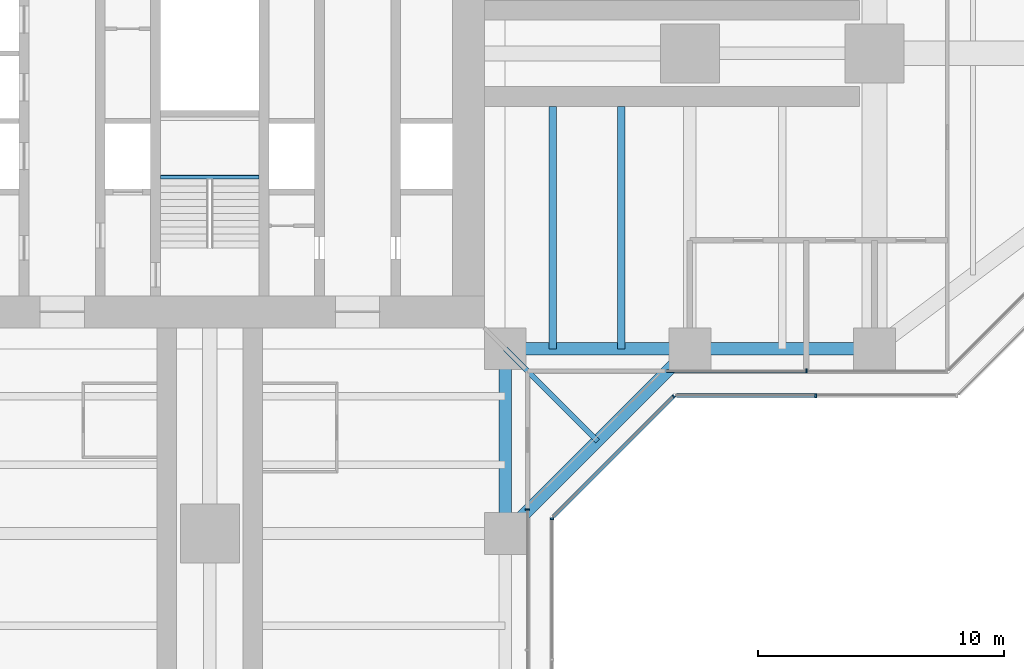
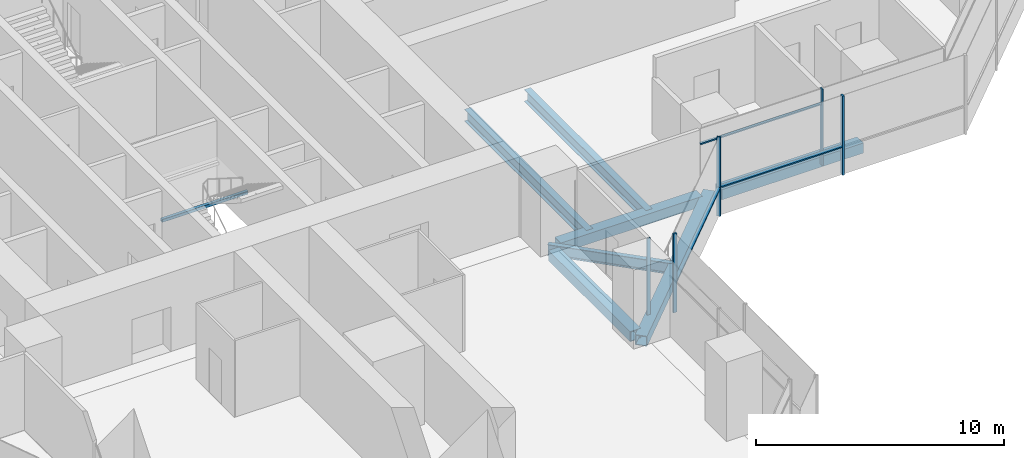
# One storey, part 6 of 22: 8 beams, 8 members, 5 elements without a shape of their own.
"""IFC4 building model written with IfcOpenShell, lengths in metres."""

import ifcopenshell
import ifcopenshell.guid

model = None  # the IFC model being written
_history = None  # IfcOwnerHistory: only IFC2X3 demands one
_inside = {}  # id of a spatial element -> (the spatial element, [elements in it])
_under = {}  # id of a project, library or spatial element -> (it, [spatial elements below it])
_declared = {}  # id of a project -> (the project, [libraries it declares])
_typed = {}  # id of a type object -> (the type object, [elements of that type])
_made_of = {}  # id of a material, layer set ... -> (it, [elements and type objects made of it])


def new_model(schema):
    """Start an empty IFC model of exactly this schema.

    Asked for "IFC4X3", IfcOpenShell would pick the latest addendum, in which some entities
    have other attributes; the version numbers below select the first issue.
    IFC2X3 requires an IfcOwnerHistory on every rooted entity: one is made here for all.
    """
    global model, _history
    if schema == "IFC4X3":
        model = ifcopenshell.file(schema_version=(4, 3, 0, 0))
    else:
        model = ifcopenshell.file(schema=schema)
    _inside.clear()
    _under.clear()
    _declared.clear()
    _typed.clear()
    _made_of.clear()
    _history = None
    if model.schema == "IFC2X3":
        org = make("IfcOrganization", Name="unknown")
        user = make(
            "IfcPersonAndOrganization",
            ThePerson=make("IfcPerson", FamilyName="unknown"),
            TheOrganization=org,
        )
        app = make(
            "IfcApplication",
            ApplicationDeveloper=org,
            Version="unknown",
            ApplicationFullName="unknown",
            ApplicationIdentifier="unknown",
        )
        _history = make(
            "IfcOwnerHistory",
            OwningUser=user,
            OwningApplication=app,
            ChangeAction="ADDED",
            CreationDate=0,
        )
    return model


def make(cls, **values):
    """One entity of the class cls with the attributes given. An attribute that is None is left unset."""
    return model.create_entity(
        cls, **{name: value for name, value in values.items() if value is not None}
    )


def rooted(cls, **values):
    """An entity with a GlobalId (a new one), such as an element, a storey or a relation."""
    return make(cls, GlobalId=ifcopenshell.guid.new(), OwnerHistory=_history, **values)


def si_unit(unit_type, name, prefix=None):
    """IfcSIUnit, for example si_unit("LENGTHUNIT", "METRE", prefix="MILLI")."""
    return make("IfcSIUnit", UnitType=unit_type, Prefix=prefix, Name=name)


def assignment(units):
    """IfcUnitAssignment: the units of a project."""
    return None if units is None else make("IfcUnitAssignment", Units=units)


def point(xyz):
    """IfcCartesianPoint."""
    return None if xyz is None else make("IfcCartesianPoint", Coordinates=xyz)


def direction(xyz):
    """IfcDirection."""
    return None if xyz is None else make("IfcDirection", DirectionRatios=xyz)


def frame(location, z_axis=None, x_axis=None):
    """IfcAxis2Placement3D, a coordinate frame: its origin and axes. An axis left out is left unset."""
    return make(
        "IfcAxis2Placement3D",
        Location=point(location),
        Axis=direction(z_axis),
        RefDirection=direction(x_axis),
    )


def frame_2d(location, x_axis=None):
    """IfcAxis2Placement2D, a coordinate frame in the plane: its origin and x axis."""
    return make(
        "IfcAxis2Placement2D", Location=point(location), RefDirection=direction(x_axis)
    )


def origin():
    """The frame at (0, 0, 0) with its axes left unset."""
    return frame((0.0, 0.0, 0.0))


def origin_2d():
    """The frame at (0, 0) in the plane with its x axis left unset."""
    return frame_2d((0.0, 0.0))


def place(relative_to, where):
    """IfcLocalPlacement: puts the frame where relative to a parent placement (None: the world)."""
    return make(
        "IfcLocalPlacement", PlacementRelTo=relative_to, RelativePlacement=where
    )


def context(
    kind, dimensions, precision=None, world=None, true_north=None, identifier=None
):
    """IfcGeometricRepresentationContext, for example the 3D "Model" context."""
    return make(
        "IfcGeometricRepresentationContext",
        ContextIdentifier=identifier,
        ContextType=kind,
        CoordinateSpaceDimension=dimensions,
        Precision=precision,
        WorldCoordinateSystem=world,
        TrueNorth=true_north,
    )


def subcontext(parent, identifier, kind, view, scale=None):
    """IfcGeometricRepresentationSubContext, for example "Body" below "Model"."""
    return make(
        "IfcGeometricRepresentationSubContext",
        ContextIdentifier=identifier,
        ContextType=kind,
        ParentContext=parent,
        TargetScale=scale,
        TargetView=view,
    )


def project(units=None, contexts=None):
    """IfcProject with its units and contexts."""
    return rooted(
        "IfcProject",
        Name="project",
        RepresentationContexts=contexts,
        UnitsInContext=assignment(units),
    )


def spatial(cls, under=None, at=None, **own):
    """A site, building, storey or space (cls), placed at a placement, below another one or the project."""
    s = rooted(cls, ObjectPlacement=at, **own)
    if under is not None:
        _under.setdefault(under.id(), (under, []))[1].append(s)
    return s


def profile(cls, at=None, kind="AREA", **sizes):
    """A parametric profile (cls). Its sizes go by their IFC names, for example OverallWidth=200.0."""
    return make(cls, ProfileType=kind, Position=at, **sizes)


def rectangle(**sizes):
    """IfcRectangleProfileDef."""
    return profile("IfcRectangleProfileDef", **sizes)


def hollow_rectangle(**sizes):
    """IfcRectangleHollowProfileDef."""
    return profile("IfcRectangleHollowProfileDef", **sizes)


def i_section(**sizes):
    """IfcIShapeProfileDef."""
    return profile("IfcIShapeProfileDef", **sizes)


def extrude(swept, where, along, depth):
    """IfcExtrudedAreaSolid: the profile swept, set in the frame where, extruded along a direction by depth."""
    return make(
        "IfcExtrudedAreaSolid",
        SweptArea=swept,
        Position=where,
        ExtrudedDirection=direction(along),
        Depth=depth,
    )


def shape(context_of_items, identifier, shape_type, items):
    """IfcShapeRepresentation: the items that make up one representation, for example the "Body"."""
    return make(
        "IfcShapeRepresentation",
        ContextOfItems=context_of_items,
        RepresentationIdentifier=identifier,
        RepresentationType=shape_type,
        Items=items,
    )


def material(Name=None, Category=None):
    """IfcMaterial."""
    return make("IfcMaterial", Name=Name, Category=Category)


def material_profile(
    of_material, cross_section, Name=None, Category=None, Priority=None
):
    """IfcMaterialProfile: a cross section and its material."""
    return make(
        "IfcMaterialProfile",
        Name=Name,
        Material=of_material,
        Profile=cross_section,
        Priority=Priority,
        Category=Category,
    )


def profile_set(profiles, Name=None, composite=None):
    """IfcMaterialProfileSet."""
    return make(
        "IfcMaterialProfileSet",
        Name=Name,
        MaterialProfiles=profiles,
        CompositeProfile=composite,
    )


def made_of(thing, what):
    """Note that an element or type object is made of a material, layer set ...; save() writes the relation."""
    if what is not None:
        _made_of.setdefault(what.id(), (what, []))[1].append(thing)
    return thing


def type_object(cls, material=None, **own):
    """A type object (cls), such as IfcWallType, which elements share."""
    return made_of(rooted(cls, **own), material)


def element(
    cls,
    number,
    at=None,
    inside=None,
    cuts=None,
    type_object=None,
    material=None,
    context=None,
    identifier="Body",
    shape_type=None,
    held_by="IfcProductDefinitionShape",
    body=None,
    shapes=None,
    **own,
):
    """One element of the class cls, such as IfcWall. Its Tag is "e" and its number.

    at: its placement. inside: the storey or other place that contains it. cuts: it is an
    opening in that element (IfcRelVoidsElement). A single representation is given by context,
    identifier, shape_type and body (its items); several are given by shapes. held_by: the class
    of the entity that holds the representations. save() writes the other relations.
    """
    e = rooted(cls, Tag="e%d" % number, ObjectPlacement=at, **own)
    if body is not None:
        shapes = [shape(context, identifier, shape_type, body)]
    if shapes is not None:
        e.Representation = make(held_by, Representations=shapes)
    if inside is not None:
        _inside.setdefault(inside.id(), (inside, []))[1].append(e)
    if cuts is not None:
        rooted(
            "IfcRelVoidsElement", RelatingBuildingElement=cuts, RelatedOpeningElement=e
        )
    if type_object is not None:
        _typed.setdefault(type_object.id(), (type_object, []))[1].append(e)
    return made_of(e, material)


def aggregate(whole, parts):
    """IfcRelAggregates: a whole, such as a stair, and the parts it consists of."""
    return rooted("IfcRelAggregates", RelatingObject=whole, RelatedObjects=parts)


def save(model, path):
    """Write the relations noted so far, then the file.

    IfcRelAggregates (storeys below a building ...), IfcRelContainedInSpatialStructure (elements
    in a storey), IfcRelDefinesByType, IfcRelAssociatesMaterial and IfcRelDeclares: one each for
    every whole, place, type object, material and project.
    """
    for whole, parts in _under.values():
        aggregate(whole, parts)
    for where, things in _inside.values():
        rooted(
            "IfcRelContainedInSpatialStructure",
            RelatedElements=things,
            RelatingStructure=where,
        )
    for kind, things in _typed.values():
        rooted("IfcRelDefinesByType", RelatedObjects=things, RelatingType=kind)
    for what, things in _made_of.values():
        rooted("IfcRelAssociatesMaterial", RelatedObjects=things, RelatingMaterial=what)
    for by, libraries in _declared.values():
        rooted("IfcRelDeclares", RelatingContext=by, RelatedDefinitions=libraries)
    model.write(path)


model = new_model("IFC4")

# Units and contexts
model_context = context("Model", 3, precision=1e-05, world=origin(), true_north=direction((0.0, 1.0)))
body_context = subcontext(model_context, "Body", "Model", "MODEL_VIEW")
ifc_project = project(units=[si_unit("LENGTHUNIT", "METRE"), si_unit("AREAUNIT", "SQUARE_METRE"), si_unit("VOLUMEUNIT", "CUBIC_METRE"), si_unit("PLANEANGLEUNIT", "RADIAN"), si_unit("MASSUNIT", "GRAM", prefix="KILO")], contexts=[model_context])

# Site, building, storey
site_placement = place(None, origin())
site = spatial("IfcSite", under=ifc_project, at=site_placement, CompositionType="ELEMENT")
building_placement = place(site_placement, origin())
building = spatial("IfcBuilding", under=site, at=building_placement, Name="Mizan Broadcast Tower", CompositionType="ELEMENT")
storey_placement = place(building_placement, frame((0.0, 0.0, 51.300048828125)))
storey = spatial("IfcBuildingStorey", under=building, at=storey_placement, Name="L09", CompositionType="ELEMENT", Elevation=51.300048828125)

# Beams
ifc_material_1 = material(Name="Steel S355", Category="steel")
ifc_material_profile_1 = material_profile(ifc_material_1, hollow_rectangle(XDim=0.5, YDim=0.5, WallThickness=0.030029296875, at=origin_2d()), Name="BOX 500x500x30")
ifc_profile_set_1 = profile_set([ifc_material_profile_1], Name="Steel S355")
beam_type_1 = type_object("IfcBeamType", Name="EDGE BEAM BOX 500x500x30", PredefinedType="SPANDREL", material=ifc_profile_set_1)
for number, where, z_axis, x_axis, name in (
    (1, (12.449951171875, -12.0, -0.380126953125), (1.0, 0.0, 0.0), (0.0, 1.0, 0.0), "Edge beam BOX 500x500x30 L09 east arm"),
    (2, (19.949951171875, -12.0, -0.380126953125), (1.0, 0.0, 0.0), (0.0, 1.0, 0.0), "Edge beam BOX 500x500x30 L09 east arm"),
    (3, (12.0, -12.449951171875, -0.380126953125), (0.0, -1.0, 0.0), (1.0, 0.0, 0.0), "Edge beam BOX 500x500x30 L09 south arm"),
):
    element("IfcBeam", number, at=place(storey_placement, frame(where, z_axis=z_axis, x_axis=x_axis)), inside=storey, type_object=beam_type_1, Name=name, PredefinedType="SPANDREL", context=body_context, shape_type="SweptSolid", body=[
        extrude(hollow_rectangle(XDim=0.5, YDim=0.5, WallThickness=0.030029296875, at=origin_2d()), origin(), (0.0, 0.0, 1.0), 6.60009765625),
    ])
beam_1_placement = place(storey_placement, frame((12.0, -19.5, -0.380126953125), z_axis=(0.707106781187, 0.707106781187, 0.0), x_axis=(-0.707106781187, 0.707106781187, 0.0)))
element("IfcBeam", 4, at=beam_1_placement, inside=storey, type_object=beam_type_1, Name="Winter garden edge beam L09 S", PredefinedType="SPANDREL", context=body_context, shape_type="SweptSolid", body=[
    extrude(hollow_rectangle(XDim=0.5, YDim=0.5, WallThickness=0.030029296875, at=origin_2d()), origin(), (0.0, 0.0, 1.0), 10.606689453125),
])

# Curtain wall, member
ifc_material_2 = material(Name="Aluminium framed glazing", Category="aluminium")
curtain_wall_type_1 = type_object("IfcCurtainWallType", Name="INNER SKIN LOW ZONE", PredefinedType="USERDEFINED", material=ifc_material_2)
curtain_wall_1_placement = place(storey_placement, origin())
curtain_wall_1 = element("IfcCurtainWall", 5, at=curtain_wall_1_placement, inside=storey, type_object=curtain_wall_type_1, Name="Inner skin low zone L09 E side", ObjectType="INNER SKIN LOW ZONE", PredefinedType="USERDEFINED")
ifc_material_3 = material(Name="Aluminium, pale anodised", Category="aluminium")
ifc_material_profile_2 = material_profile(ifc_material_3, rectangle(XDim=0.159912109375, YDim=0.06005859375, at=origin_2d()), Name="MULLION 160x60")
ifc_profile_set_2 = profile_set([ifc_material_profile_2], Name="Aluminium, pale anodised")
member_type_1 = type_object("IfcMemberType", Name="INNER SKIN MULLION 60x160", PredefinedType="MULLION", material=ifc_profile_set_2)
member_1_placement = place(storey_placement, frame((24.229248046875, -12.89990234375, 0.0), z_axis=(0.0, 0.0, 1.0), x_axis=(0.0, 1.0, 0.0)))
member_1 = element("IfcMember", 6, at=member_1_placement, type_object=member_type_1, Name="Inner skin low zone L09 E side mullion 2", PredefinedType="MULLION", context=body_context, shape_type="SweptSolid", body=[
    extrude(rectangle(XDim=0.159912109375, YDim=0.06005859375, at=origin_2d()), origin(), (0.0, 0.0, 1.0), 3.77001953125),
])

curtain_wall_2_placement = place(storey_placement, origin())
curtain_wall_2 = element("IfcCurtainWall", 7, at=curtain_wall_2_placement, inside=storey, type_object=curtain_wall_type_1, Name="Inner skin low zone L09 S side", ObjectType="INNER SKIN LOW ZONE", PredefinedType="USERDEFINED")
member_2_placement = place(storey_placement, frame((12.89990234375, -18.530029296875, 0.0), z_axis=(0.0, 0.0, 1.0), x_axis=(-1.0, 0.0, 0.0)))
member_2 = element("IfcMember", 8, at=member_2_placement, type_object=member_type_1, Name="Inner skin low zone L09 S side mullion 3", PredefinedType="MULLION", context=body_context, shape_type="SweptSolid", body=[
    extrude(rectangle(XDim=0.159912109375, YDim=0.06005859375, at=origin_2d()), origin(), (0.0, 0.0, 1.0), 3.77001953125),
])
aggregate(curtain_wall_2, [member_2])

# Member
ifc_material_4 = material(Name="Aluminium, pale anodised", Category="aluminium")
ifc_material_profile_3 = material_profile(ifc_material_4, rectangle(XDim=0.1201171875, YDim=0.06005859375, at=origin_2d()), Name="TRANSOM 120x60")
ifc_profile_set_3 = profile_set([ifc_material_profile_3], Name="Aluminium, pale anodised")
member_type_2 = type_object("IfcMemberType", Name="INNER SKIN TRANSOM 60x120", PredefinedType="USERDEFINED", material=ifc_profile_set_3)
member_3_placement = place(storey_placement, frame((18.56005859375, -12.89990234375, 3.030029296875), z_axis=(1.0, 0.0, 0.0), x_axis=(0.0, 1.0, 0.0)))
member_3 = element("IfcMember", 9, at=member_3_placement, type_object=member_type_2, Name="Inner skin low zone L09 E side transom 1.1", ObjectType="TRANSOM", PredefinedType="USERDEFINED", context=body_context, shape_type="SweptSolid", body=[
    extrude(rectangle(XDim=0.1201171875, YDim=0.06005859375, at=origin_2d()), origin(), (0.0, 0.0, 1.0), 5.63916015625),
])

aggregate(curtain_wall_1, [member_1, member_3])

# Beam
ifc_material_5 = material(Name="Steel S355", Category="steel")
ifc_material_profile_4 = material_profile(ifc_material_5, hollow_rectangle(XDim=0.14990234375, YDim=0.14990234375, WallThickness=0.008056640625, InnerFilletRadius=0.008056640625, OuterFilletRadius=0.011962890625, at=origin_2d()), Name="SHS 150x150x8")
ifc_profile_set_4 = profile_set([ifc_material_profile_4], Name="Steel S355")
beam_type_2 = type_object("IfcBeamType", Name="LANDING TRIMMER SHS 150x150x8", PredefinedType="BEAM", material=ifc_profile_set_4)
beam_2_placement = place(storey_placement, frame((-2.0, -5.02490234375, 1.675048828125), z_axis=(1.0, 0.0, 0.0), x_axis=(0.0, 1.0, 0.0)))
element("IfcBeam", 10, at=beam_2_placement, inside=storey, type_object=beam_type_2, Name="Stair A landing trimmer L09", PredefinedType="BEAM", context=body_context, shape_type="SweptSolid", body=[
    extrude(hollow_rectangle(XDim=0.14990234375, YDim=0.14990234375, WallThickness=0.008056640625, InnerFilletRadius=0.008056640625, OuterFilletRadius=0.011962890625, at=origin_2d()), origin(), (0.0, 0.0, 1.0), 4.0),
])

# Curtain wall, member
ifc_material_6 = material(Name="Aluminium framed glazing", Category="aluminium")
curtain_wall_type_2 = type_object("IfcCurtainWallType", Name="OUTER SKIN", PredefinedType="USERDEFINED", material=ifc_material_6)
curtain_wall_3_placement = place(storey_placement, origin())
curtain_wall_3 = element("IfcCurtainWall", 11, at=curtain_wall_3_placement, inside=storey, type_object=curtain_wall_type_2, Name="Outer skin L09 S side", ObjectType="OUTER SKIN", PredefinedType="USERDEFINED")
ifc_material_7 = material(Name="Aluminium, pale anodised", Category="aluminium")
ifc_material_profile_5 = material_profile(ifc_material_7, rectangle(XDim=0.159912109375, YDim=0.080078125, at=origin_2d()), Name="MULLION 160x80")
ifc_profile_set_5 = profile_set([ifc_material_profile_5], Name="Aluminium, pale anodised")
member_type_3 = type_object("IfcMemberType", Name="OUTER SKIN MULLION 80x160", PredefinedType="MULLION", material=ifc_profile_set_5)
member_4_placement = place(storey_placement, frame((13.89990234375, -18.912841796875, 0.0), z_axis=(0.0, 0.0, 1.0), x_axis=(-1.0, 0.0, 0.0)))
member_4 = element("IfcMember", 12, at=member_4_placement, type_object=member_type_3, Name="Outer skin L09 S side mullion 3", PredefinedType="MULLION", context=body_context, shape_type="SweptSolid", body=[
    extrude(rectangle(XDim=0.159912109375, YDim=0.080078125, at=origin_2d()), origin(), (0.0, 0.0, 1.0), 3.89990234375),
])
aggregate(curtain_wall_3, [member_4])

curtain_wall_4_placement = place(storey_placement, origin())
curtain_wall_4 = element("IfcCurtainWall", 13, at=curtain_wall_4_placement, inside=storey, type_object=curtain_wall_type_2, Name="Outer skin L09 E chamfer", ObjectType="OUTER SKIN", PredefinedType="USERDEFINED")
member_5_placement = place(storey_placement, frame((18.844482421875, -13.92822265625, 0.0), z_axis=(0.0, 0.0, 1.0), x_axis=(-0.707106781187, 0.707106781187, 0.0)))
member_5 = element("IfcMember", 14, at=member_5_placement, type_object=member_type_3, Name="Outer skin L09 E chamfer mullion 2", PredefinedType="MULLION", context=body_context, shape_type="SweptSolid", body=[
    extrude(rectangle(XDim=0.159912109375, YDim=0.080078125, at=origin_2d()), origin(), (0.0, 0.0, 1.0), 3.89990234375),
])

curtain_wall_5_placement = place(storey_placement, origin())
curtain_wall_5 = element("IfcCurtainWall", 15, at=curtain_wall_5_placement, inside=storey, type_object=curtain_wall_type_2, Name="Outer skin L09 E side", ObjectType="OUTER SKIN", PredefinedType="USERDEFINED")
member_6_placement = place(storey_placement, frame((24.622802734375, -13.89990234375, 0.0), z_axis=(0.0, 0.0, 1.0), x_axis=(0.0, 1.0, 0.0)))
member_6 = element("IfcMember", 16, at=member_6_placement, type_object=member_type_3, Name="Outer skin L09 E side mullion 2", PredefinedType="MULLION", context=body_context, shape_type="SweptSolid", body=[
    extrude(rectangle(XDim=0.159912109375, YDim=0.080078125, at=origin_2d()), origin(), (0.0, 0.0, 1.0), 3.89990234375),
])

# Member
ifc_material_8 = material(Name="Aluminium, pale anodised", Category="aluminium")
ifc_material_profile_6 = material_profile(ifc_material_8, rectangle(XDim=0.159912109375, YDim=0.06005859375, at=origin_2d()), Name="TRANSOM 160x60")
ifc_profile_set_6 = profile_set([ifc_material_profile_6], Name="Aluminium, pale anodised")
member_type_4 = type_object("IfcMemberType", Name="OUTER SKIN TRANSOM 60x160", PredefinedType="USERDEFINED", material=ifc_profile_set_6)
member_7_placement = place(storey_placement, frame((13.95654296875, -18.816162109375, 1.39990234375), z_axis=(0.707106781187, 0.707106781187, 0.0), x_axis=(-0.707106781187, 0.707106781187, 0.0)))
member_7 = element("IfcMember", 17, at=member_7_placement, type_object=member_type_4, Name="Outer skin L09 E chamfer transom 1.1", ObjectType="TRANSOM", PredefinedType="USERDEFINED", context=body_context, shape_type="SweptSolid", body=[
    extrude(rectangle(XDim=0.159912109375, YDim=0.06005859375, at=origin_2d()), origin(), (0.0, 0.0, 1.0), 6.87255859375),
])

aggregate(curtain_wall_4, [member_5, member_7])

member_8_placement = place(storey_placement, frame((18.952880859375, -13.89990234375, 1.39990234375), z_axis=(1.0, 0.0, 0.0), x_axis=(0.0, 1.0, 0.0)))
member_8 = element("IfcMember", 18, at=member_8_placement, type_object=member_type_4, Name="Outer skin L09 E side transom 1.1", ObjectType="TRANSOM", PredefinedType="USERDEFINED", context=body_context, shape_type="SweptSolid", body=[
    extrude(rectangle(XDim=0.159912109375, YDim=0.06005859375, at=origin_2d()), origin(), (0.0, 0.0, 1.0), 5.6298828125),
])

aggregate(curtain_wall_5, [member_6, member_8])

# Beams
ifc_material_9 = material(Name="Steel S355", Category="steel")
ifc_material_profile_7 = material_profile(ifc_material_9, i_section(OverallWidth=0.300048828125, OverallDepth=0.590087890625, WebThickness=0.012939453125, FlangeThickness=0.02490234375, FilletRadius=0.027099609375, at=origin_2d()), Name="HEA 600")
ifc_profile_set_7 = profile_set([ifc_material_profile_7], Name="Steel S355")
beam_type_3 = type_object("IfcBeamType", Name="SECONDARY BEAM HEA 600", PredefinedType="JOIST", material=ifc_profile_set_7)
for number, where, z_axis, x_axis, name in (
    (19, (13.933349609375, -12.0, -0.425048828125), (0.0, 1.0, 0.0), (-1.0, 0.0, 0.0), "Secondary beam HEA 600 L09 east arm"),
    (20, (16.716552734375, -12.0, -0.425048828125), (0.0, 1.0, 0.0), (-1.0, 0.0, 0.0), "Secondary beam HEA 600 L09 east arm"),
):
    element("IfcBeam", number, at=place(storey_placement, frame(where, z_axis=z_axis, x_axis=x_axis)), inside=storey, type_object=beam_type_3, Name=name, PredefinedType="JOIST", context=body_context, shape_type="SweptSolid", body=[
        extrude(i_section(OverallWidth=0.300048828125, OverallDepth=0.590087890625, WebThickness=0.012939453125, FlangeThickness=0.02490234375, FilletRadius=0.027099609375, at=origin_2d()), origin(), (0.0, 0.0, 1.0), 9.85009765625),
    ])
ifc_material_10 = material(Name="Steel S355", Category="steel")
ifc_material_profile_8 = material_profile(ifc_material_10, i_section(OverallWidth=0.2099609375, OverallDepth=0.550048828125, WebThickness=0.010986328125, FlangeThickness=0.01708984375, FilletRadius=0.02392578125, at=origin_2d()), Name="IPE 550")
ifc_profile_set_8 = profile_set([ifc_material_profile_8], Name="Steel S355")
beam_type_4 = type_object("IfcBeamType", Name="SECONDARY BEAM IPE 550", PredefinedType="JOIST", material=ifc_profile_set_8)
beam_3_placement = place(storey_placement, frame((12.0, -12.0, -0.405029296875), z_axis=(0.707106781187, -0.707106781187, 0.0), x_axis=(0.707106781187, 0.707106781187, 0.0)))
element("IfcBeam", 21, at=beam_3_placement, inside=storey, type_object=beam_type_4, Name="Winter garden beam L09 S", PredefinedType="JOIST", context=body_context, shape_type="SweptSolid", body=[
    extrude(i_section(OverallWidth=0.2099609375, OverallDepth=0.550048828125, WebThickness=0.010986328125, FlangeThickness=0.01708984375, FilletRadius=0.02392578125, at=origin_2d()), origin(), (0.0, 0.0, 1.0), 5.30322265625),
])

save(model, "model.ifc")
